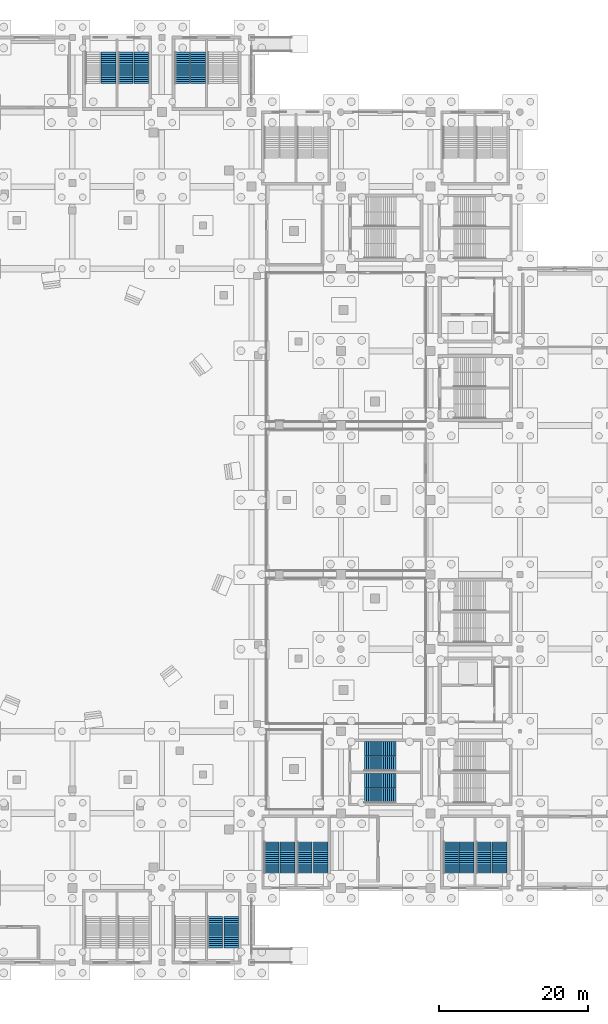
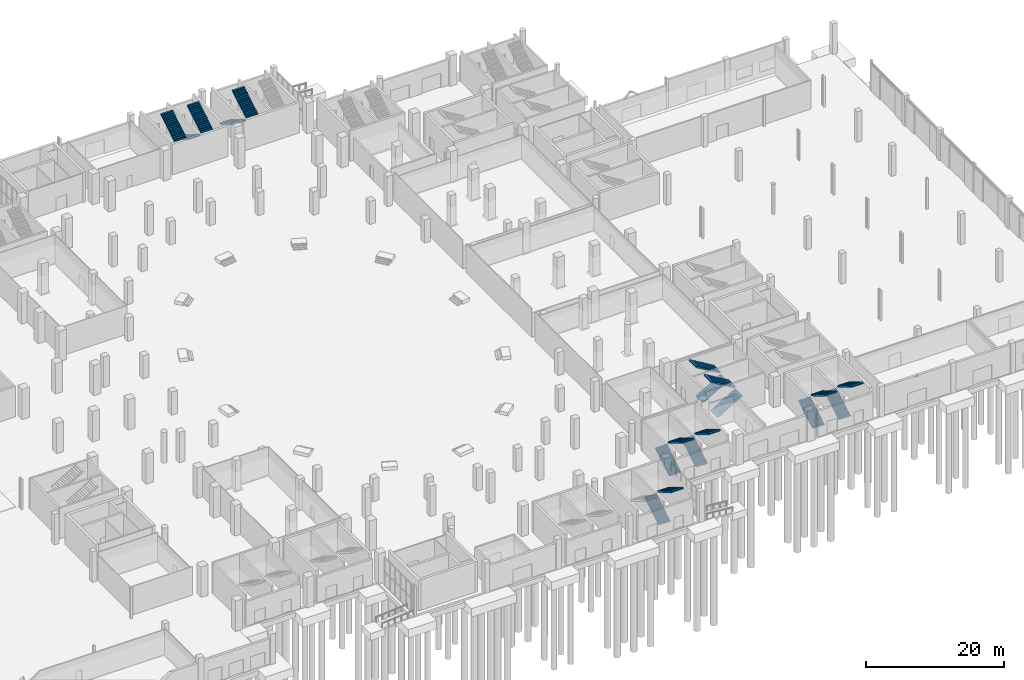
# One storey, part 60 of 70: 19 stair flights, 10 elements without a shape of their own.
"""IFC4 building model written with IfcOpenShell, lengths in metres."""

from ifc_helpers import new_model, si_unit, direction, frame, origin, place, context, subcontext, project, spatial, polyline, outline, extrude, material, layer, layer_set, type_object, element, aggregate, save


model = new_model("IFC4")

# Units and contexts
model_context = context("Model", 3, precision=1e-05, world=origin(), true_north=direction((0.0, 1.0)))
body_context = subcontext(model_context, "Body", "Model", "MODEL_VIEW")
ifc_project = project(units=[si_unit("LENGTHUNIT", "METRE"), si_unit("AREAUNIT", "SQUARE_METRE"), si_unit("VOLUMEUNIT", "CUBIC_METRE"), si_unit("PLANEANGLEUNIT", "RADIAN"), si_unit("MASSUNIT", "GRAM", prefix="KILO")], contexts=[model_context])

# Site, building, storey
site_placement = place(None, origin())
site = spatial("IfcSite", under=ifc_project, at=site_placement, CompositionType="ELEMENT")
building_placement = place(site_placement, origin())
building = spatial("IfcBuilding", under=site, at=building_placement, Name="Brinegate Civic Arena", CompositionType="ELEMENT")
storey_placement = place(building_placement, origin())
storey = spatial("IfcBuildingStorey", under=building, at=storey_placement, Name="L00", CompositionType="ELEMENT", Elevation=0.0)

# Stair, stair flights
ifc_material = material(Name="Concrete C40/50", Category="concrete")
stair_type_1 = type_object("IfcStairType", Name="STAIR-EXIT-3700", PredefinedType="HALF_TURN_STAIR", material=ifc_material)
stair_1_placement = place(storey_placement, origin())
stair_1 = element("IfcStair", 1, at=stair_1_placement, inside=storey, type_object=stair_type_1, Name="Protected Exit Stair ST-04B (L00)", PredefinedType="HALF_TURN_STAIR")
ifc_layer_1 = layer(ifc_material, 0.179931640625, Name="Concrete C40/50")
ifc_layer_set_1 = layer_set([ifc_layer_1], Name="Concrete C40/50")
stair_flight_type_1 = type_object("IfcStairFlightType", Name="FLIGHT-EXIT-3700", PredefinedType="STRAIGHT", material=ifc_layer_set_1)
stair_flight_1_placement = place(storey_placement, frame((127.139892578125, 1.969970703125, 0.0), z_axis=(0.0, 0.0, 1.0), x_axis=(0.0, 1.0, 0.0)))
stair_flight_1 = element("IfcStairFlight", 2, at=stair_flight_1_placement, type_object=stair_flight_type_1, Name="ST-04B flight 1", NumberOfRisers=16, NumberOfTreads=15, PredefinedType="STRAIGHT", RiserHeight=0.16875, TreadLength=0.28, context=body_context, shape_type="SweptSolid", body=[
    extrude(outline(polyline([(0.0, 0.0), (0.0, 0.168701171875), (0.280029296875, 0.168701171875), (0.280029296875, 0.33740234375), (0.56005859375, 0.33740234375), (0.56005859375, 0.50634765625), (0.840087890625, 0.50634765625), (0.840087890625, 0.675048828125), (1.1201171875, 0.675048828125), (1.1201171875, 0.84375), (1.39990234375, 0.84375), (1.39990234375, 1.012451171875), (1.679931640625, 1.012451171875), (1.679931640625, 1.18115234375), (1.9599609375, 1.18115234375), (1.9599609375, 1.35009765625), (2.239990234375, 1.35009765625), (2.239990234375, 1.518798828125), (2.52001953125, 1.518798828125), (2.52001953125, 1.6875), (2.800048828125, 1.6875), (2.800048828125, 1.856201171875), (3.080078125, 1.856201171875), (3.080078125, 2.02490234375), (3.360107421875, 2.02490234375), (3.360107421875, 2.19384765625), (3.639892578125, 2.19384765625), (3.639892578125, 2.362548828125), (3.919921875, 2.362548828125), (3.919921875, 2.53125), (4.199951171875, 2.53125), (4.199951171875, 2.699951171875), (4.199951171875, 2.3212890625), (0.3486328125, 0.0), (0.0, 0.0)])), frame((0.0, 0.97998046875, 0.0), z_axis=(0.0, -1.0, 0.0), x_axis=(1.0, 0.0, 0.0)), (0.0, 0.0, 1.0), 1.9599609375),
])
stair_flight_2_placement = place(storey_placement, frame((129.280029296875, 6.169921875, 2.699951171875), z_axis=(0.0, 0.0, 1.0), x_axis=(0.0, -1.0, 0.0)))
stair_flight_2 = element("IfcStairFlight", 3, at=stair_flight_2_placement, type_object=stair_flight_type_1, Name="ST-04B flight 2", NumberOfRisers=16, NumberOfTreads=15, PredefinedType="STRAIGHT", RiserHeight=0.16875, TreadLength=0.28, context=body_context, shape_type="SweptSolid", body=[
    extrude(outline(polyline([(0.0, 0.0), (0.0, 0.168701171875), (0.280029296875, 0.168701171875), (0.280029296875, 0.33740234375), (0.56005859375, 0.33740234375), (0.56005859375, 0.50634765625), (0.840087890625, 0.50634765625), (0.840087890625, 0.675048828125), (1.1201171875, 0.675048828125), (1.1201171875, 0.84375), (1.39990234375, 0.84375), (1.39990234375, 1.012451171875), (1.679931640625, 1.012451171875), (1.679931640625, 1.18115234375), (1.9599609375, 1.18115234375), (1.9599609375, 1.35009765625), (2.239990234375, 1.35009765625), (2.239990234375, 1.518798828125), (2.52001953125, 1.518798828125), (2.52001953125, 1.6875), (2.800048828125, 1.6875), (2.800048828125, 1.856201171875), (3.080078125, 1.856201171875), (3.080078125, 2.02490234375), (3.360107421875, 2.02490234375), (3.360107421875, 2.19384765625), (3.639892578125, 2.19384765625), (3.639892578125, 2.362548828125), (3.919921875, 2.362548828125), (3.919921875, 2.53125), (4.199951171875, 2.53125), (4.199951171875, 2.699951171875), (4.199951171875, 2.3212890625), (0.3486328125, 0.0), (0.0, 0.0)])), frame((0.0, 0.97998046875, 0.0), z_axis=(0.0, -1.0, 0.0), x_axis=(1.0, 0.0, 0.0)), (0.0, 0.0, 1.0), 1.9599609375),
])
aggregate(stair_1, [stair_flight_1, stair_flight_2])

stair_2_placement = place(storey_placement, origin())
stair_2 = element("IfcStair", 4, at=stair_2_placement, inside=storey, type_object=stair_type_1, Name="Protected Exit Stair ST-06B (L00)", PredefinedType="HALF_TURN_STAIR")
stair_flight_3_placement = place(storey_placement, frame((163.139892578125, 11.969970703125, 0.0), z_axis=(0.0, 0.0, 1.0), x_axis=(0.0, 1.0, 0.0)))
stair_flight_3 = element("IfcStairFlight", 5, at=stair_flight_3_placement, type_object=stair_flight_type_1, Name="ST-06B flight 1", NumberOfRisers=16, NumberOfTreads=15, PredefinedType="STRAIGHT", RiserHeight=0.16875, TreadLength=0.28, context=body_context, shape_type="SweptSolid", body=[
    extrude(outline(polyline([(0.0, 0.0), (0.0, 0.168701171875), (0.280029296875, 0.168701171875), (0.280029296875, 0.33740234375), (0.56005859375, 0.33740234375), (0.56005859375, 0.50634765625), (0.840087890625, 0.50634765625), (0.840087890625, 0.675048828125), (1.1201171875, 0.675048828125), (1.1201171875, 0.84375), (1.39990234375, 0.84375), (1.39990234375, 1.012451171875), (1.679931640625, 1.012451171875), (1.679931640625, 1.18115234375), (1.9599609375, 1.18115234375), (1.9599609375, 1.35009765625), (2.239990234375, 1.35009765625), (2.239990234375, 1.518798828125), (2.52001953125, 1.518798828125), (2.52001953125, 1.6875), (2.800048828125, 1.6875), (2.800048828125, 1.856201171875), (3.080078125, 1.856201171875), (3.080078125, 2.02490234375), (3.360107421875, 2.02490234375), (3.360107421875, 2.19384765625), (3.639892578125, 2.19384765625), (3.639892578125, 2.362548828125), (3.919921875, 2.362548828125), (3.919921875, 2.53125), (4.199951171875, 2.53125), (4.199951171875, 2.699951171875), (4.199951171875, 2.3212890625), (0.3486328125, 0.0), (0.0, 0.0)])), frame((0.0, 0.97998046875, 0.0), z_axis=(0.0, -1.0, 0.0), x_axis=(1.0, 0.0, 0.0)), (0.0, 0.0, 1.0), 1.9599609375),
])
stair_flight_4_placement = place(storey_placement, frame((165.260009765625, 16.169921875, 2.699951171875), z_axis=(0.0, 0.0, 1.0), x_axis=(0.0, -1.0, 0.0)))
stair_flight_4 = element("IfcStairFlight", 6, at=stair_flight_4_placement, type_object=stair_flight_type_1, Name="ST-06B flight 2", NumberOfRisers=16, NumberOfTreads=15, PredefinedType="STRAIGHT", RiserHeight=0.16875, TreadLength=0.28, context=body_context, shape_type="SweptSolid", body=[
    extrude(outline(polyline([(0.0, 0.0), (0.0, 0.168701171875), (0.280029296875, 0.168701171875), (0.280029296875, 0.33740234375), (0.56005859375, 0.33740234375), (0.56005859375, 0.50634765625), (0.840087890625, 0.50634765625), (0.840087890625, 0.675048828125), (1.1201171875, 0.675048828125), (1.1201171875, 0.84375), (1.39990234375, 0.84375), (1.39990234375, 1.012451171875), (1.679931640625, 1.012451171875), (1.679931640625, 1.18115234375), (1.9599609375, 1.18115234375), (1.9599609375, 1.35009765625), (2.239990234375, 1.35009765625), (2.239990234375, 1.518798828125), (2.52001953125, 1.518798828125), (2.52001953125, 1.6875), (2.800048828125, 1.6875), (2.800048828125, 1.856201171875), (3.080078125, 1.856201171875), (3.080078125, 2.02490234375), (3.360107421875, 2.02490234375), (3.360107421875, 2.19384765625), (3.639892578125, 2.19384765625), (3.639892578125, 2.362548828125), (3.919921875, 2.362548828125), (3.919921875, 2.53125), (4.199951171875, 2.53125), (4.199951171875, 2.699951171875), (4.199951171875, 2.3212890625), (0.3486328125, 0.0), (0.0, 0.0)])), frame((0.0, 0.97998046875, 0.0), z_axis=(0.0, -1.0, 0.0), x_axis=(1.0, 0.0, 0.0)), (0.0, 0.0, 1.0), 1.9599609375),
])
aggregate(stair_2, [stair_flight_3, stair_flight_4])

stair_3_placement = place(storey_placement, origin())
stair_3 = element("IfcStair", 7, at=stair_3_placement, inside=storey, type_object=stair_type_1, Name="Protected Exit Stair ST-14B (L00)", PredefinedType="HALF_TURN_STAIR")
stair_flight_5_placement = place(storey_placement, frame((139.139892578125, 11.969970703125, 0.0), z_axis=(0.0, 0.0, 1.0), x_axis=(0.0, 1.0, 0.0)))
stair_flight_5 = element("IfcStairFlight", 8, at=stair_flight_5_placement, type_object=stair_flight_type_1, Name="ST-14B flight 1", NumberOfRisers=16, NumberOfTreads=15, PredefinedType="STRAIGHT", RiserHeight=0.16875, TreadLength=0.28, context=body_context, shape_type="SweptSolid", body=[
    extrude(outline(polyline([(0.0, 0.0), (0.0, 0.168701171875), (0.280029296875, 0.168701171875), (0.280029296875, 0.33740234375), (0.56005859375, 0.33740234375), (0.56005859375, 0.50634765625), (0.840087890625, 0.50634765625), (0.840087890625, 0.675048828125), (1.1201171875, 0.675048828125), (1.1201171875, 0.84375), (1.39990234375, 0.84375), (1.39990234375, 1.012451171875), (1.679931640625, 1.012451171875), (1.679931640625, 1.18115234375), (1.9599609375, 1.18115234375), (1.9599609375, 1.35009765625), (2.239990234375, 1.35009765625), (2.239990234375, 1.518798828125), (2.52001953125, 1.518798828125), (2.52001953125, 1.6875), (2.800048828125, 1.6875), (2.800048828125, 1.856201171875), (3.080078125, 1.856201171875), (3.080078125, 2.02490234375), (3.360107421875, 2.02490234375), (3.360107421875, 2.19384765625), (3.639892578125, 2.19384765625), (3.639892578125, 2.362548828125), (3.919921875, 2.362548828125), (3.919921875, 2.53125), (4.199951171875, 2.53125), (4.199951171875, 2.699951171875), (4.199951171875, 2.3212890625), (0.3486328125, 0.0), (0.0, 0.0)])), frame((0.0, 0.97998046875, 0.0), z_axis=(0.0, -1.0, 0.0), x_axis=(1.0, 0.0, 0.0)), (0.0, 0.0, 1.0), 1.9599609375),
])
stair_flight_6_placement = place(storey_placement, frame((141.31005859375, 16.169921875, 2.699951171875), z_axis=(0.0, 0.0, 1.0), x_axis=(0.0, -1.0, 0.0)))
stair_flight_6 = element("IfcStairFlight", 9, at=stair_flight_6_placement, type_object=stair_flight_type_1, Name="ST-14B flight 2", NumberOfRisers=16, NumberOfTreads=15, PredefinedType="STRAIGHT", RiserHeight=0.16875, TreadLength=0.28, context=body_context, shape_type="SweptSolid", body=[
    extrude(outline(polyline([(0.0, 0.0), (0.0, 0.168701171875), (0.280029296875, 0.168701171875), (0.280029296875, 0.33740234375), (0.56005859375, 0.33740234375), (0.56005859375, 0.50634765625), (0.840087890625, 0.50634765625), (0.840087890625, 0.675048828125), (1.1201171875, 0.675048828125), (1.1201171875, 0.84375), (1.39990234375, 0.84375), (1.39990234375, 1.012451171875), (1.679931640625, 1.012451171875), (1.679931640625, 1.18115234375), (1.9599609375, 1.18115234375), (1.9599609375, 1.35009765625), (2.239990234375, 1.35009765625), (2.239990234375, 1.518798828125), (2.52001953125, 1.518798828125), (2.52001953125, 1.6875), (2.800048828125, 1.6875), (2.800048828125, 1.856201171875), (3.080078125, 1.856201171875), (3.080078125, 2.02490234375), (3.360107421875, 2.02490234375), (3.360107421875, 2.19384765625), (3.639892578125, 2.19384765625), (3.639892578125, 2.362548828125), (3.919921875, 2.362548828125), (3.919921875, 2.53125), (4.199951171875, 2.53125), (4.199951171875, 2.699951171875), (4.199951171875, 2.3212890625), (0.3486328125, 0.0), (0.0, 0.0)])), frame((0.0, 0.97998046875, 0.0), z_axis=(0.0, -1.0, 0.0), x_axis=(1.0, 0.0, 0.0)), (0.0, 0.0, 1.0), 1.9599609375),
])
aggregate(stair_3, [stair_flight_5, stair_flight_6])

stair_4_placement = place(storey_placement, origin())
stair_4 = element("IfcStair", 10, at=stair_4_placement, inside=storey, type_object=stair_type_1, Name="Protected Exit Stair ST-15B (L00)", PredefinedType="HALF_TURN_STAIR")
stair_flight_7_placement = place(storey_placement, frame((115.139892578125, 122.030029296875, 0.0), z_axis=(0.0, 0.0, 1.0), x_axis=(0.0, -1.0, 0.0)))
stair_flight_7 = element("IfcStairFlight", 11, at=stair_flight_7_placement, type_object=stair_flight_type_1, Name="ST-15B flight 1", NumberOfRisers=16, NumberOfTreads=15, PredefinedType="STRAIGHT", RiserHeight=0.16875, TreadLength=0.28, context=body_context, shape_type="SweptSolid", body=[
    extrude(outline(polyline([(0.0, 0.0), (0.0, 0.168701171875), (0.280029296875, 0.168701171875), (0.280029296875, 0.33740234375), (0.56005859375, 0.33740234375), (0.56005859375, 0.50634765625), (0.840087890625, 0.50634765625), (0.840087890625, 0.675048828125), (1.1201171875, 0.675048828125), (1.1201171875, 0.84375), (1.39990234375, 0.84375), (1.39990234375, 1.012451171875), (1.679931640625, 1.012451171875), (1.679931640625, 1.18115234375), (1.9599609375, 1.18115234375), (1.9599609375, 1.35009765625), (2.239990234375, 1.35009765625), (2.239990234375, 1.518798828125), (2.52001953125, 1.518798828125), (2.52001953125, 1.6875), (2.800048828125, 1.6875), (2.800048828125, 1.856201171875), (3.080078125, 1.856201171875), (3.080078125, 2.02490234375), (3.360107421875, 2.02490234375), (3.360107421875, 2.19384765625), (3.639892578125, 2.19384765625), (3.639892578125, 2.362548828125), (3.919921875, 2.362548828125), (3.919921875, 2.53125), (4.199951171875, 2.53125), (4.199951171875, 2.699951171875), (4.199951171875, 2.3212890625), (0.3486328125, 0.0), (0.0, 0.0)])), frame((0.0, 0.97998046875, 0.0), z_axis=(0.0, -1.0, 0.0), x_axis=(1.0, 0.0, 0.0)), (0.0, 0.0, 1.0), 1.9599609375),
])
stair_flight_8_placement = place(storey_placement, frame((117.260009765625, 117.830078125, 2.699951171875), z_axis=(0.0, 0.0, 1.0), x_axis=(0.0, 1.0, 0.0)))
stair_flight_8 = element("IfcStairFlight", 12, at=stair_flight_8_placement, type_object=stair_flight_type_1, Name="ST-15B flight 2", NumberOfRisers=16, NumberOfTreads=15, PredefinedType="STRAIGHT", RiserHeight=0.16875, TreadLength=0.28, context=body_context, shape_type="SweptSolid", body=[
    extrude(outline(polyline([(0.0, 0.0), (0.0, 0.168701171875), (0.280029296875, 0.168701171875), (0.280029296875, 0.33740234375), (0.56005859375, 0.33740234375), (0.56005859375, 0.50634765625), (0.840087890625, 0.50634765625), (0.840087890625, 0.675048828125), (1.1201171875, 0.675048828125), (1.1201171875, 0.84375), (1.39990234375, 0.84375), (1.39990234375, 1.012451171875), (1.679931640625, 1.012451171875), (1.679931640625, 1.18115234375), (1.9599609375, 1.18115234375), (1.9599609375, 1.35009765625), (2.239990234375, 1.35009765625), (2.239990234375, 1.518798828125), (2.52001953125, 1.518798828125), (2.52001953125, 1.6875), (2.800048828125, 1.6875), (2.800048828125, 1.856201171875), (3.080078125, 1.856201171875), (3.080078125, 2.02490234375), (3.360107421875, 2.02490234375), (3.360107421875, 2.19384765625), (3.639892578125, 2.19384765625), (3.639892578125, 2.362548828125), (3.919921875, 2.362548828125), (3.919921875, 2.53125), (4.199951171875, 2.53125), (4.199951171875, 2.699951171875), (4.199951171875, 2.3212890625), (0.3486328125, 0.0), (0.0, 0.0)])), frame((0.0, 0.97998046875, 0.0), z_axis=(0.0, -1.0, 0.0), x_axis=(1.0, 0.0, 0.0)), (0.0, 0.0, 1.0), 1.9599609375),
])
aggregate(stair_4, [stair_flight_7, stair_flight_8])

stair_5_placement = place(storey_placement, origin())
stair_5 = element("IfcStair", 13, at=stair_5_placement, inside=storey, type_object=stair_type_1, Name="Protected Exit Stair ST-17B (L00)", PredefinedType="HALF_TURN_STAIR")
stair_flight_9_placement = place(storey_placement, frame((147.169921875, 26.639892578125, 0.0), z_axis=(0.0, 0.0, 1.0), x_axis=(1.0, 0.0, 0.0)))
stair_flight_9 = element("IfcStairFlight", 14, at=stair_flight_9_placement, type_object=stair_flight_type_1, Name="ST-17B flight 1", NumberOfRisers=16, NumberOfTreads=15, PredefinedType="STRAIGHT", RiserHeight=0.16875, TreadLength=0.28, context=body_context, shape_type="SweptSolid", body=[
    extrude(outline(polyline([(0.0, 0.0), (0.0, 0.168701171875), (0.280029296875, 0.168701171875), (0.280029296875, 0.33740234375), (0.56005859375, 0.33740234375), (0.56005859375, 0.50634765625), (0.840087890625, 0.50634765625), (0.840087890625, 0.675048828125), (1.1201171875, 0.675048828125), (1.1201171875, 0.84375), (1.39990234375, 0.84375), (1.39990234375, 1.012451171875), (1.679931640625, 1.012451171875), (1.679931640625, 1.18115234375), (1.9599609375, 1.18115234375), (1.9599609375, 1.35009765625), (2.239990234375, 1.35009765625), (2.239990234375, 1.518798828125), (2.52001953125, 1.518798828125), (2.52001953125, 1.6875), (2.800048828125, 1.6875), (2.800048828125, 1.856201171875), (3.080078125, 1.856201171875), (3.080078125, 2.02490234375), (3.360107421875, 2.02490234375), (3.360107421875, 2.19384765625), (3.639892578125, 2.19384765625), (3.639892578125, 2.362548828125), (3.919921875, 2.362548828125), (3.919921875, 2.53125), (4.199951171875, 2.53125), (4.199951171875, 2.699951171875), (4.199951171875, 2.3212890625), (0.3486328125, 0.0), (0.0, 0.0)])), frame((0.0, 0.97998046875, 0.0), z_axis=(0.0, -1.0, 0.0), x_axis=(1.0, 0.0, 0.0)), (0.0, 0.0, 1.0), 1.9599609375),
])
stair_flight_10_placement = place(storey_placement, frame((151.3701171875, 28.659912109375, 2.699951171875), z_axis=(0.0, 0.0, 1.0), x_axis=(-1.0, 0.0, 0.0)))
stair_flight_10 = element("IfcStairFlight", 15, at=stair_flight_10_placement, type_object=stair_flight_type_1, Name="ST-17B flight 2", NumberOfRisers=16, NumberOfTreads=15, PredefinedType="STRAIGHT", RiserHeight=0.16875, TreadLength=0.28, context=body_context, shape_type="SweptSolid", body=[
    extrude(outline(polyline([(0.0, 0.0), (0.0, 0.168701171875), (0.280029296875, 0.168701171875), (0.280029296875, 0.33740234375), (0.56005859375, 0.33740234375), (0.56005859375, 0.50634765625), (0.840087890625, 0.50634765625), (0.840087890625, 0.675048828125), (1.1201171875, 0.675048828125), (1.1201171875, 0.84375), (1.39990234375, 0.84375), (1.39990234375, 1.012451171875), (1.679931640625, 1.012451171875), (1.679931640625, 1.18115234375), (1.9599609375, 1.18115234375), (1.9599609375, 1.35009765625), (2.239990234375, 1.35009765625), (2.239990234375, 1.518798828125), (2.52001953125, 1.518798828125), (2.52001953125, 1.6875), (2.800048828125, 1.6875), (2.800048828125, 1.856201171875), (3.080078125, 1.856201171875), (3.080078125, 2.02490234375), (3.360107421875, 2.02490234375), (3.360107421875, 2.19384765625), (3.639892578125, 2.19384765625), (3.639892578125, 2.362548828125), (3.919921875, 2.362548828125), (3.919921875, 2.53125), (4.199951171875, 2.53125), (4.199951171875, 2.699951171875), (4.199951171875, 2.3212890625), (0.3486328125, 0.0), (0.0, 0.0)])), frame((0.0, 0.97998046875, 0.0), z_axis=(0.0, -1.0, 0.0), x_axis=(1.0, 0.0, 0.0)), (0.0, 0.0, 1.0), 1.9599609375),
])
aggregate(stair_5, [stair_flight_9, stair_flight_10])

stair_type_2 = type_object("IfcStairType", Name="STAIR-EXIT-3850", PredefinedType="HALF_TURN_STAIR", material=ifc_material)
stair_6_placement = place(storey_placement, origin())
stair_6 = element("IfcStair", 16, at=stair_6_placement, inside=storey, type_object=stair_type_2, Name="Protected Exit Stair ST-03A (L00)", PredefinedType="HALF_TURN_STAIR")
ifc_layer_2 = layer(ifc_material, 0.179931640625, Name="Concrete C40/50")
ifc_layer_set_2 = layer_set([ifc_layer_2], Name="Concrete C40/50")
stair_flight_type_2 = type_object("IfcStairFlightType", Name="FLIGHT-EXIT-3850", PredefinedType="STRAIGHT", material=ifc_layer_set_2)
stair_flight_11_placement = place(storey_placement, frame((122.75, 122.030029296875, 0.0), z_axis=(0.0, 0.0, 1.0), x_axis=(0.0, -1.0, 0.0)))
stair_flight_11 = element("IfcStairFlight", 17, at=stair_flight_11_placement, type_object=stair_flight_type_2, Name="ST-03A flight 1", NumberOfRisers=16, NumberOfTreads=15, PredefinedType="STRAIGHT", RiserHeight=0.16875, TreadLength=0.28, context=body_context, shape_type="SweptSolid", body=[
    extrude(outline(polyline([(0.0, 0.0), (0.0, 0.168701171875), (0.280029296875, 0.168701171875), (0.280029296875, 0.33740234375), (0.56005859375, 0.33740234375), (0.56005859375, 0.50634765625), (0.840087890625, 0.50634765625), (0.840087890625, 0.675048828125), (1.1201171875, 0.675048828125), (1.1201171875, 0.84375), (1.39990234375, 0.84375), (1.39990234375, 1.012451171875), (1.679931640625, 1.012451171875), (1.679931640625, 1.18115234375), (1.9599609375, 1.18115234375), (1.9599609375, 1.35009765625), (2.239990234375, 1.35009765625), (2.239990234375, 1.518798828125), (2.52001953125, 1.518798828125), (2.52001953125, 1.6875), (2.800048828125, 1.6875), (2.800048828125, 1.856201171875), (3.080078125, 1.856201171875), (3.080078125, 2.02490234375), (3.360107421875, 2.02490234375), (3.360107421875, 2.19384765625), (3.639892578125, 2.19384765625), (3.639892578125, 2.362548828125), (3.919921875, 2.362548828125), (3.919921875, 2.53125), (4.199951171875, 2.53125), (4.199951171875, 2.699951171875), (4.199951171875, 2.3212890625), (0.3486328125, 0.0), (0.0, 0.0)])), frame((0.0, 0.989990234375, 0.0), z_axis=(0.0, -1.0, 0.0), x_axis=(1.0, 0.0, 0.0)), (0.0, 0.0, 1.0), 1.97998046875),
])
stair_flight_12_placement = place(storey_placement, frame((124.85009765625, 117.830078125, 2.699951171875), z_axis=(0.0, 0.0, 1.0), x_axis=(0.0, 1.0, 0.0)))
stair_flight_12 = element("IfcStairFlight", 18, at=stair_flight_12_placement, type_object=stair_flight_type_2, Name="ST-03A flight 2", NumberOfRisers=16, NumberOfTreads=15, PredefinedType="STRAIGHT", RiserHeight=0.16875, TreadLength=0.28, context=body_context, shape_type="SweptSolid", body=[
    extrude(outline(polyline([(0.0, 0.0), (0.0, 0.168701171875), (0.280029296875, 0.168701171875), (0.280029296875, 0.33740234375), (0.56005859375, 0.33740234375), (0.56005859375, 0.50634765625), (0.840087890625, 0.50634765625), (0.840087890625, 0.675048828125), (1.1201171875, 0.675048828125), (1.1201171875, 0.84375), (1.39990234375, 0.84375), (1.39990234375, 1.012451171875), (1.679931640625, 1.012451171875), (1.679931640625, 1.18115234375), (1.9599609375, 1.18115234375), (1.9599609375, 1.35009765625), (2.239990234375, 1.35009765625), (2.239990234375, 1.518798828125), (2.52001953125, 1.518798828125), (2.52001953125, 1.6875), (2.800048828125, 1.6875), (2.800048828125, 1.856201171875), (3.080078125, 1.856201171875), (3.080078125, 2.02490234375), (3.360107421875, 2.02490234375), (3.360107421875, 2.19384765625), (3.639892578125, 2.19384765625), (3.639892578125, 2.362548828125), (3.919921875, 2.362548828125), (3.919921875, 2.53125), (4.199951171875, 2.53125), (4.199951171875, 2.699951171875), (4.199951171875, 2.3212890625), (0.3486328125, 0.0), (0.0, 0.0)])), frame((0.0, 0.989990234375, 0.0), z_axis=(0.0, -1.0, 0.0), x_axis=(1.0, 0.0, 0.0)), (0.0, 0.0, 1.0), 1.97998046875),
])
aggregate(stair_6, [stair_flight_11, stair_flight_12])

stair_7_placement = place(storey_placement, origin())
stair_7 = element("IfcStair", 19, at=stair_7_placement, inside=storey, type_object=stair_type_2, Name="Protected Exit Stair ST-06A (L00)", PredefinedType="HALF_TURN_STAIR")
stair_flight_13_placement = place(storey_placement, frame((158.75, 11.969970703125, 0.0), z_axis=(0.0, 0.0, 1.0), x_axis=(0.0, 1.0, 0.0)))
stair_flight_13 = element("IfcStairFlight", 20, at=stair_flight_13_placement, type_object=stair_flight_type_2, Name="ST-06A flight 1", NumberOfRisers=16, NumberOfTreads=15, PredefinedType="STRAIGHT", RiserHeight=0.16875, TreadLength=0.28, context=body_context, shape_type="SweptSolid", body=[
    extrude(outline(polyline([(0.0, 0.0), (0.0, 0.168701171875), (0.280029296875, 0.168701171875), (0.280029296875, 0.33740234375), (0.56005859375, 0.33740234375), (0.56005859375, 0.50634765625), (0.840087890625, 0.50634765625), (0.840087890625, 0.675048828125), (1.1201171875, 0.675048828125), (1.1201171875, 0.84375), (1.39990234375, 0.84375), (1.39990234375, 1.012451171875), (1.679931640625, 1.012451171875), (1.679931640625, 1.18115234375), (1.9599609375, 1.18115234375), (1.9599609375, 1.35009765625), (2.239990234375, 1.35009765625), (2.239990234375, 1.518798828125), (2.52001953125, 1.518798828125), (2.52001953125, 1.6875), (2.800048828125, 1.6875), (2.800048828125, 1.856201171875), (3.080078125, 1.856201171875), (3.080078125, 2.02490234375), (3.360107421875, 2.02490234375), (3.360107421875, 2.19384765625), (3.639892578125, 2.19384765625), (3.639892578125, 2.362548828125), (3.919921875, 2.362548828125), (3.919921875, 2.53125), (4.199951171875, 2.53125), (4.199951171875, 2.699951171875), (4.199951171875, 2.3212890625), (0.3486328125, 0.0), (0.0, 0.0)])), frame((0.0, 0.989990234375, 0.0), z_axis=(0.0, -1.0, 0.0), x_axis=(1.0, 0.0, 0.0)), (0.0, 0.0, 1.0), 1.97998046875),
])
stair_flight_14_placement = place(storey_placement, frame((160.85009765625, 16.169921875, 2.699951171875), z_axis=(0.0, 0.0, 1.0), x_axis=(0.0, -1.0, 0.0)))
stair_flight_14 = element("IfcStairFlight", 21, at=stair_flight_14_placement, type_object=stair_flight_type_2, Name="ST-06A flight 2", NumberOfRisers=16, NumberOfTreads=15, PredefinedType="STRAIGHT", RiserHeight=0.16875, TreadLength=0.28, context=body_context, shape_type="SweptSolid", body=[
    extrude(outline(polyline([(0.0, 0.0), (0.0, 0.168701171875), (0.280029296875, 0.168701171875), (0.280029296875, 0.33740234375), (0.56005859375, 0.33740234375), (0.56005859375, 0.50634765625), (0.840087890625, 0.50634765625), (0.840087890625, 0.675048828125), (1.1201171875, 0.675048828125), (1.1201171875, 0.84375), (1.39990234375, 0.84375), (1.39990234375, 1.012451171875), (1.679931640625, 1.012451171875), (1.679931640625, 1.18115234375), (1.9599609375, 1.18115234375), (1.9599609375, 1.35009765625), (2.239990234375, 1.35009765625), (2.239990234375, 1.518798828125), (2.52001953125, 1.518798828125), (2.52001953125, 1.6875), (2.800048828125, 1.6875), (2.800048828125, 1.856201171875), (3.080078125, 1.856201171875), (3.080078125, 2.02490234375), (3.360107421875, 2.02490234375), (3.360107421875, 2.19384765625), (3.639892578125, 2.19384765625), (3.639892578125, 2.362548828125), (3.919921875, 2.362548828125), (3.919921875, 2.53125), (4.199951171875, 2.53125), (4.199951171875, 2.699951171875), (4.199951171875, 2.3212890625), (0.3486328125, 0.0), (0.0, 0.0)])), frame((0.0, 0.989990234375, 0.0), z_axis=(0.0, -1.0, 0.0), x_axis=(1.0, 0.0, 0.0)), (0.0, 0.0, 1.0), 1.97998046875),
])
aggregate(stair_7, [stair_flight_13, stair_flight_14])

stair_8_placement = place(storey_placement, origin())
stair_8 = element("IfcStair", 22, at=stair_8_placement, inside=storey, type_object=stair_type_2, Name="Protected Exit Stair ST-14A (L00)", PredefinedType="HALF_TURN_STAIR")
stair_flight_15_placement = place(storey_placement, frame((134.699951171875, 11.969970703125, 0.0), z_axis=(0.0, 0.0, 1.0), x_axis=(0.0, 1.0, 0.0)))
stair_flight_15 = element("IfcStairFlight", 23, at=stair_flight_15_placement, type_object=stair_flight_type_2, Name="ST-14A flight 1", NumberOfRisers=16, NumberOfTreads=15, PredefinedType="STRAIGHT", RiserHeight=0.16875, TreadLength=0.28, context=body_context, shape_type="SweptSolid", body=[
    extrude(outline(polyline([(0.0, 0.0), (0.0, 0.168701171875), (0.280029296875, 0.168701171875), (0.280029296875, 0.33740234375), (0.56005859375, 0.33740234375), (0.56005859375, 0.50634765625), (0.840087890625, 0.50634765625), (0.840087890625, 0.675048828125), (1.1201171875, 0.675048828125), (1.1201171875, 0.84375), (1.39990234375, 0.84375), (1.39990234375, 1.012451171875), (1.679931640625, 1.012451171875), (1.679931640625, 1.18115234375), (1.9599609375, 1.18115234375), (1.9599609375, 1.35009765625), (2.239990234375, 1.35009765625), (2.239990234375, 1.518798828125), (2.52001953125, 1.518798828125), (2.52001953125, 1.6875), (2.800048828125, 1.6875), (2.800048828125, 1.856201171875), (3.080078125, 1.856201171875), (3.080078125, 2.02490234375), (3.360107421875, 2.02490234375), (3.360107421875, 2.19384765625), (3.639892578125, 2.19384765625), (3.639892578125, 2.362548828125), (3.919921875, 2.362548828125), (3.919921875, 2.53125), (4.199951171875, 2.53125), (4.199951171875, 2.699951171875), (4.199951171875, 2.3212890625), (0.3486328125, 0.0), (0.0, 0.0)])), frame((0.0, 0.989990234375, 0.0), z_axis=(0.0, -1.0, 0.0), x_axis=(1.0, 0.0, 0.0)), (0.0, 0.0, 1.0), 1.97998046875),
])
stair_flight_16_placement = place(storey_placement, frame((136.85009765625, 16.169921875, 2.699951171875), z_axis=(0.0, 0.0, 1.0), x_axis=(0.0, -1.0, 0.0)))
stair_flight_16 = element("IfcStairFlight", 24, at=stair_flight_16_placement, type_object=stair_flight_type_2, Name="ST-14A flight 2", NumberOfRisers=16, NumberOfTreads=15, PredefinedType="STRAIGHT", RiserHeight=0.16875, TreadLength=0.28, context=body_context, shape_type="SweptSolid", body=[
    extrude(outline(polyline([(0.0, 0.0), (0.0, 0.168701171875), (0.280029296875, 0.168701171875), (0.280029296875, 0.33740234375), (0.56005859375, 0.33740234375), (0.56005859375, 0.50634765625), (0.840087890625, 0.50634765625), (0.840087890625, 0.675048828125), (1.1201171875, 0.675048828125), (1.1201171875, 0.84375), (1.39990234375, 0.84375), (1.39990234375, 1.012451171875), (1.679931640625, 1.012451171875), (1.679931640625, 1.18115234375), (1.9599609375, 1.18115234375), (1.9599609375, 1.35009765625), (2.239990234375, 1.35009765625), (2.239990234375, 1.518798828125), (2.52001953125, 1.518798828125), (2.52001953125, 1.6875), (2.800048828125, 1.6875), (2.800048828125, 1.856201171875), (3.080078125, 1.856201171875), (3.080078125, 2.02490234375), (3.360107421875, 2.02490234375), (3.360107421875, 2.19384765625), (3.639892578125, 2.19384765625), (3.639892578125, 2.362548828125), (3.919921875, 2.362548828125), (3.919921875, 2.53125), (4.199951171875, 2.53125), (4.199951171875, 2.699951171875), (4.199951171875, 2.3212890625), (0.3486328125, 0.0), (0.0, 0.0)])), frame((0.0, 0.989990234375, 0.0), z_axis=(0.0, -1.0, 0.0), x_axis=(1.0, 0.0, 0.0)), (0.0, 0.0, 1.0), 1.97998046875),
])
aggregate(stair_8, [stair_flight_15, stair_flight_16])

# Stair, stair flight
stair_9_placement = place(storey_placement, origin())
stair_9 = element("IfcStair", 25, at=stair_9_placement, inside=storey, type_object=stair_type_2, Name="Protected Exit Stair ST-15A (L00)", PredefinedType="HALF_TURN_STAIR")
stair_flight_17_placement = place(storey_placement, frame((112.85009765625, 117.830078125, 2.699951171875), z_axis=(0.0, 0.0, 1.0), x_axis=(0.0, 1.0, 0.0)))
stair_flight_17 = element("IfcStairFlight", 26, at=stair_flight_17_placement, type_object=stair_flight_type_2, Name="ST-15A flight 2", NumberOfRisers=16, NumberOfTreads=15, PredefinedType="STRAIGHT", RiserHeight=0.16875, TreadLength=0.28, context=body_context, shape_type="SweptSolid", body=[
    extrude(outline(polyline([(0.0, 0.0), (0.0, 0.168701171875), (0.280029296875, 0.168701171875), (0.280029296875, 0.33740234375), (0.56005859375, 0.33740234375), (0.56005859375, 0.50634765625), (0.840087890625, 0.50634765625), (0.840087890625, 0.675048828125), (1.1201171875, 0.675048828125), (1.1201171875, 0.84375), (1.39990234375, 0.84375), (1.39990234375, 1.012451171875), (1.679931640625, 1.012451171875), (1.679931640625, 1.18115234375), (1.9599609375, 1.18115234375), (1.9599609375, 1.35009765625), (2.239990234375, 1.35009765625), (2.239990234375, 1.518798828125), (2.52001953125, 1.518798828125), (2.52001953125, 1.6875), (2.800048828125, 1.6875), (2.800048828125, 1.856201171875), (3.080078125, 1.856201171875), (3.080078125, 2.02490234375), (3.360107421875, 2.02490234375), (3.360107421875, 2.19384765625), (3.639892578125, 2.19384765625), (3.639892578125, 2.362548828125), (3.919921875, 2.362548828125), (3.919921875, 2.53125), (4.199951171875, 2.53125), (4.199951171875, 2.699951171875), (4.199951171875, 2.3212890625), (0.3486328125, 0.0), (0.0, 0.0)])), frame((0.0, 0.989990234375, 0.0), z_axis=(0.0, -1.0, 0.0), x_axis=(1.0, 0.0, 0.0)), (0.0, 0.0, 1.0), 1.97998046875),
])
aggregate(stair_9, [stair_flight_17])

# Stair, stair flights
stair_10_placement = place(storey_placement, origin())
stair_10 = element("IfcStair", 27, at=stair_10_placement, inside=storey, type_object=stair_type_2, Name="Protected Exit Stair ST-17A (L00)", PredefinedType="HALF_TURN_STAIR")
stair_flight_18_placement = place(storey_placement, frame((147.169921875, 22.35009765625, 0.0), z_axis=(0.0, 0.0, 1.0), x_axis=(1.0, 0.0, 0.0)))
stair_flight_18 = element("IfcStairFlight", 28, at=stair_flight_18_placement, type_object=stair_flight_type_2, Name="ST-17A flight 1", NumberOfRisers=16, NumberOfTreads=15, PredefinedType="STRAIGHT", RiserHeight=0.16875, TreadLength=0.28, context=body_context, shape_type="SweptSolid", body=[
    extrude(outline(polyline([(0.0, 0.0), (0.0, 0.168701171875), (0.280029296875, 0.168701171875), (0.280029296875, 0.33740234375), (0.56005859375, 0.33740234375), (0.56005859375, 0.50634765625), (0.840087890625, 0.50634765625), (0.840087890625, 0.675048828125), (1.1201171875, 0.675048828125), (1.1201171875, 0.84375), (1.39990234375, 0.84375), (1.39990234375, 1.012451171875), (1.679931640625, 1.012451171875), (1.679931640625, 1.18115234375), (1.9599609375, 1.18115234375), (1.9599609375, 1.35009765625), (2.239990234375, 1.35009765625), (2.239990234375, 1.518798828125), (2.52001953125, 1.518798828125), (2.52001953125, 1.6875), (2.800048828125, 1.6875), (2.800048828125, 1.856201171875), (3.080078125, 1.856201171875), (3.080078125, 2.02490234375), (3.360107421875, 2.02490234375), (3.360107421875, 2.19384765625), (3.639892578125, 2.19384765625), (3.639892578125, 2.362548828125), (3.919921875, 2.362548828125), (3.919921875, 2.53125), (4.199951171875, 2.53125), (4.199951171875, 2.699951171875), (4.199951171875, 2.3212890625), (0.3486328125, 0.0), (0.0, 0.0)])), frame((0.0, 0.989990234375, 0.0), z_axis=(0.0, -1.0, 0.0), x_axis=(1.0, 0.0, 0.0)), (0.0, 0.0, 1.0), 1.97998046875),
])
stair_flight_19_placement = place(storey_placement, frame((151.3701171875, 24.35009765625, 2.699951171875), z_axis=(0.0, 0.0, 1.0), x_axis=(-1.0, 0.0, 0.0)))
stair_flight_19 = element("IfcStairFlight", 29, at=stair_flight_19_placement, type_object=stair_flight_type_2, Name="ST-17A flight 2", NumberOfRisers=16, NumberOfTreads=15, PredefinedType="STRAIGHT", RiserHeight=0.16875, TreadLength=0.28, context=body_context, shape_type="SweptSolid", body=[
    extrude(outline(polyline([(0.0, 0.0), (0.0, 0.168701171875), (0.280029296875, 0.168701171875), (0.280029296875, 0.33740234375), (0.56005859375, 0.33740234375), (0.56005859375, 0.50634765625), (0.840087890625, 0.50634765625), (0.840087890625, 0.675048828125), (1.1201171875, 0.675048828125), (1.1201171875, 0.84375), (1.39990234375, 0.84375), (1.39990234375, 1.012451171875), (1.679931640625, 1.012451171875), (1.679931640625, 1.18115234375), (1.9599609375, 1.18115234375), (1.9599609375, 1.35009765625), (2.239990234375, 1.35009765625), (2.239990234375, 1.518798828125), (2.52001953125, 1.518798828125), (2.52001953125, 1.6875), (2.800048828125, 1.6875), (2.800048828125, 1.856201171875), (3.080078125, 1.856201171875), (3.080078125, 2.02490234375), (3.360107421875, 2.02490234375), (3.360107421875, 2.19384765625), (3.639892578125, 2.19384765625), (3.639892578125, 2.362548828125), (3.919921875, 2.362548828125), (3.919921875, 2.53125), (4.199951171875, 2.53125), (4.199951171875, 2.699951171875), (4.199951171875, 2.3212890625), (0.3486328125, 0.0), (0.0, 0.0)])), frame((0.0, 0.989990234375, 0.0), z_axis=(0.0, -1.0, 0.0), x_axis=(1.0, 0.0, 0.0)), (0.0, 0.0, 1.0), 1.97998046875),
])
aggregate(stair_10, [stair_flight_18, stair_flight_19])

save(model, "model.ifc")
